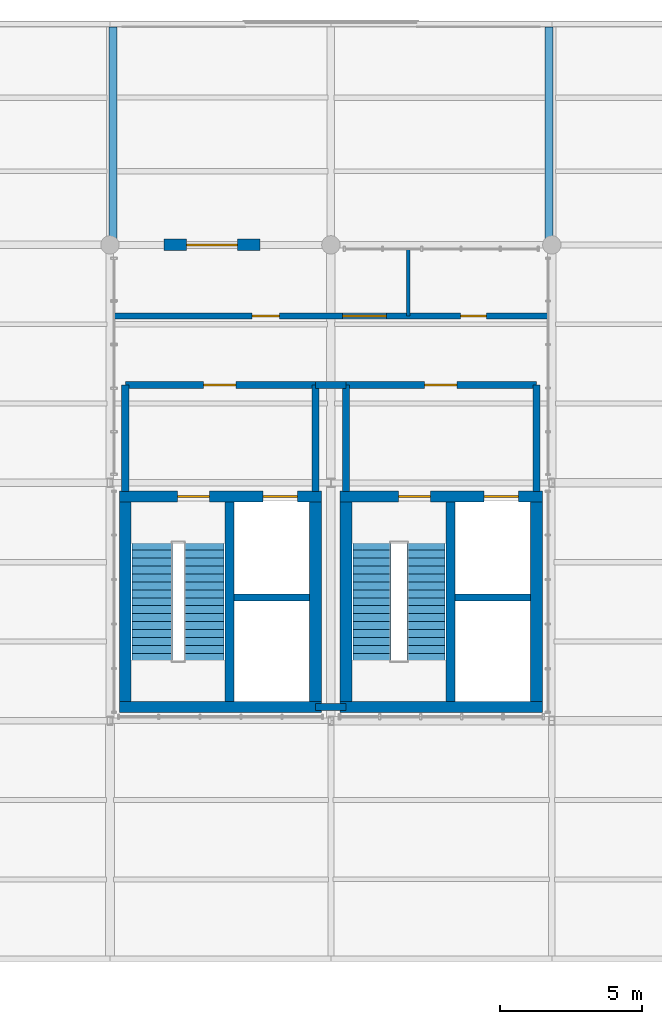
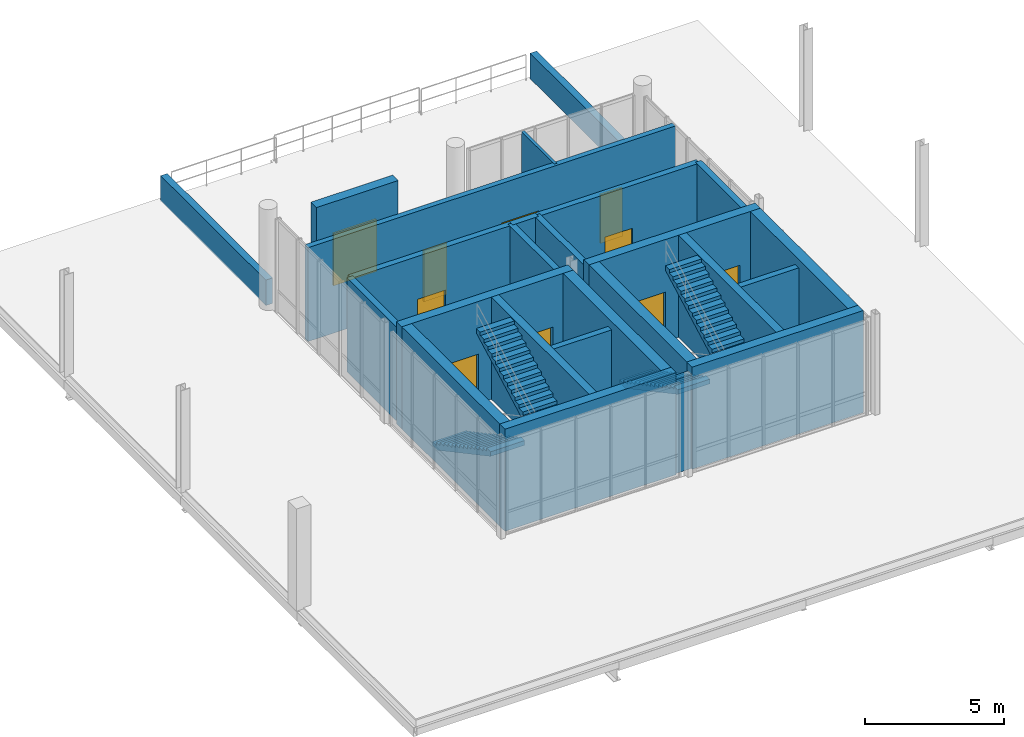
# One storey, part 58 of 66: 25 walls, 9 doors, 4 stair flights, 1 window, 10 openings, 2 elements without a shape of their own.
"""IFC4 building model written with IfcOpenShell, lengths in metres."""

from ifc_helpers import new_model, si_unit, direction, frame, frame_2d, origin_with_axes, place, context, subcontext, project, spatial, polyline, rectangle, outline, extrude, material, layer, layer_set, type_object, element, fill, aggregate, save


model = new_model("IFC4")

# Units and contexts
model_context = context("Model", 3, precision=1e-05, world=origin_with_axes(), true_north=direction((0.0, 1.0)))
body_context = subcontext(model_context, "Body", "Model", "MODEL_VIEW")
ifc_project = project(units=[si_unit("LENGTHUNIT", "METRE"), si_unit("AREAUNIT", "SQUARE_METRE"), si_unit("VOLUMEUNIT", "CUBIC_METRE"), si_unit("PLANEANGLEUNIT", "RADIAN"), si_unit("MASSUNIT", "GRAM", prefix="KILO"), si_unit("THERMODYNAMICTEMPERATUREUNIT", "KELVIN")], contexts=[model_context])

# Site, building, storey
site_placement = place(None, origin_with_axes())
site = spatial("IfcSite", under=ifc_project, at=site_placement, CompositionType="ELEMENT")
building_placement = place(site_placement, origin_with_axes())
building = spatial("IfcBuilding", under=site, at=building_placement, Name="Montbau Bow Law Courts", CompositionType="ELEMENT")
storey_placement = place(building_placement, frame((0.0, 0.0, 34.5), z_axis=(0.0, 0.0, 1.0), x_axis=(1.0, 0.0, 0.0)))
storey = spatial("IfcBuildingStorey", under=building, at=storey_placement, Name="L07", CompositionType="ELEMENT", Elevation=34.5)

# Walls
ifc_material_1 = material(Name="Concrete CSA A23.1 f'c 45 MPa", Category="concrete")
ifc_layer_1 = layer(ifc_material_1, 0.42, Name="Shear Wall", Category="concrete")
ifc_layer_set_1 = layer_set([ifc_layer_1], Name="Concrete CSA A23.1 f'c 45 MPa")
wall_type_1 = type_object("IfcWallType", Name="W-COR-03", PredefinedType="SHEAR", material=ifc_layer_set_1)
for number, where, z_axis, x_axis, name in (
    (1, (154.26, 87.07, 34.5), (0.0, 0.0, 1.0), (0.0, 1.0, 0.0), "WC-L07-0348:wal_0415"),
    (2, (147.54, 94.13, 34.5), (0.0, 0.0, 1.0), (0.0, -1.0, 0.0), "WC-L07-0349:wal_0416"),
    (3, (162.06, 87.07, 34.5), (0.0, 0.0, 1.0), (0.0, 1.0, 0.0), "WC-L07-0451:wal_0518"),
    (4, (155.34, 94.13, 34.5), (0.0, 0.0, 1.0), (0.0, -1.0, 0.0), "WC-L07-0452:wal_0519"),
):
    element("IfcWall", number, at=place(None, frame(where, z_axis=z_axis, x_axis=x_axis)), inside=storey, type_object=wall_type_1, Name=name, PredefinedType="SHEAR", context=body_context, shape_type="SweptSolid", body=[
        extrude(rectangle(XDim=7.060000000000002, YDim=0.42, at=frame_2d((3.53, 0.0), x_axis=(1.0, 0.0))), origin_with_axes(), (0.0, 0.0, 1.0), 4.5),
    ])
ifc_layer_2 = layer(ifc_material_1, 0.38, Name="Shear Wall", Category="concrete")
ifc_layer_set_2 = layer_set([ifc_layer_2], Name="Concrete CSA A23.1 f'c 45 MPa")
wall_type_2 = type_object("IfcWallType", Name="W-COR-04", PredefinedType="SHEAR", material=ifc_layer_set_2)
wall_1_placement = place(None, frame((147.33, 86.88, 34.5), z_axis=(0.0, 0.0, 1.0), x_axis=(1.0, 0.0, 0.0)))
element("IfcWall", 5, at=wall_1_placement, inside=storey, type_object=wall_type_2, Name="WC-L07-0346:wal_0413", PredefinedType="SHEAR", context=body_context, shape_type="SweptSolid", body=[
    extrude(rectangle(XDim=7.139999999999986, YDim=0.38, at=frame_2d((3.57, 0.0), x_axis=(1.0, 0.0))), origin_with_axes(), (0.0, 0.0, 1.0), 4.5),
])

# Wall, openings, doors
wall_2_placement = place(None, frame((154.47, 94.32, 34.5), z_axis=(0.0, 0.0, 1.0), x_axis=(-1.0, 0.0, 0.0)))
wall_2 = element("IfcWall", 6, at=wall_2_placement, inside=storey, type_object=wall_type_2, Name="WC-L07-0347:wal_0414", PredefinedType="SHEAR", context=body_context, shape_type="SweptSolid", body=[
    extrude(rectangle(XDim=7.139999999999986, YDim=0.38, at=frame_2d((3.57, 0.0), x_axis=(1.0, 0.0))), origin_with_axes(), (0.0, 0.0, 1.0), 4.5),
])
opening_1_placement = place(None, frame((149.95, 94.32, 34.5), z_axis=(0.0, 0.0, 1.0), x_axis=(-1.0, 0.0, 0.0)))
opening_1 = element("IfcOpeningElement", 7, at=opening_1_placement, cuts=wall_2, Name="OP-D-L07-ST-P2", PredefinedType="OPENING", context=body_context, shape_type="SweptSolid", body=[
    extrude(rectangle(XDim=1.14, YDim=2.18, at=frame_2d((0.0, 1.09), x_axis=(1.0, 0.0))), frame((0.0, 0.2, 0.0), z_axis=(0.0, -1.0, 0.0), x_axis=(1.0, 0.0, 0.0)), (0.0, 0.0, 1.0), 0.4),
])
opening_2_placement = place(None, frame((153.01, 94.32, 34.5), z_axis=(0.0, 0.0, 1.0), x_axis=(-1.0, 0.0, 0.0)))
opening_2 = element("IfcOpeningElement", 8, at=opening_2_placement, cuts=wall_2, Name="OP-LD-L07-EL-FF1", PredefinedType="OPENING", context=body_context, shape_type="SweptSolid", body=[
    extrude(rectangle(XDim=1.22, YDim=2.28, at=frame_2d((0.0, 1.14), x_axis=(1.0, 0.0))), frame((0.0, 0.2, 0.0), z_axis=(0.0, -1.0, 0.0), x_axis=(1.0, 0.0, 0.0)), (0.0, 0.0, 1.0), 0.4),
])
ifc_material_2 = material(Name="1.5 h Fire-Rated Hollow-Metal Exit Stair Door", Category="steel")
door_type_1 = type_object("IfcDoorType", Name="D-ST-01", OperationType="NOTDEFINED", ParameterTakesPrecedence=False, PredefinedType="DOOR", material=ifc_material_2)
door_1_placement = place(None, frame((149.95, 94.32, 34.5), z_axis=(0.0, 0.0, 1.0), x_axis=(1.0, 0.0, 0.0)))
door_1 = element("IfcDoor", 9, at=door_1_placement, inside=storey, type_object=door_type_1, Name="D-L07-ST-P2:dor_0168", OperationType="SINGLE_SWING_LEFT", OverallHeight=2.18, OverallWidth=1.14, PredefinedType="DOOR", context=body_context, shape_type="SweptSolid", body=[
    extrude(rectangle(XDim=1.14, YDim=2.18, at=frame_2d((0.0, 1.09), x_axis=(1.0, 0.0))), frame((0.0, 0.04, 0.0), z_axis=(0.0, -1.0, 0.0), x_axis=(1.0, 0.0, 0.0)), (0.0, 0.0, 1.0), 0.08),
])
fill(opening_1, door_1)
ifc_material_3 = material(Name="CSA B44 Firefighters Elevator Landing Door", Category="steel")
door_type_2 = type_object("IfcDoorType", Name="LD-FFE-01", OperationType="NOTDEFINED", ParameterTakesPrecedence=False, PredefinedType="DOOR", material=ifc_material_3)
door_2_placement = place(None, frame((153.01, 94.32, 34.5), z_axis=(0.0, 0.0, 1.0), x_axis=(1.0, 0.0, 0.0)))
door_2 = element("IfcDoor", 10, at=door_2_placement, inside=storey, type_object=door_type_2, Name="LD-L07-EL-FF1:dor_0169", OperationType="SLIDING_TO_LEFT", OverallHeight=2.28, OverallWidth=1.22, PredefinedType="DOOR", context=body_context, shape_type="SweptSolid", body=[
    extrude(rectangle(XDim=1.22, YDim=2.28, at=frame_2d((0.0, 1.14), x_axis=(1.0, 0.0))), frame((0.0, 0.04, 0.0), z_axis=(0.0, -1.0, 0.0), x_axis=(1.0, 0.0, 0.0)), (0.0, 0.0, 1.0), 0.08),
])
fill(opening_2, door_2)

# Wall
wall_3_placement = place(None, frame((155.13, 86.88, 34.5), z_axis=(0.0, 0.0, 1.0), x_axis=(1.0, 0.0, 0.0)))
element("IfcWall", 11, at=wall_3_placement, inside=storey, type_object=wall_type_2, Name="WC-L07-0449:wal_0516", PredefinedType="SHEAR", context=body_context, shape_type="SweptSolid", body=[
    extrude(rectangle(XDim=7.140000000000015, YDim=0.38, at=frame_2d((3.57, 0.0), x_axis=(1.0, 0.0))), origin_with_axes(), (0.0, 0.0, 1.0), 4.5),
])

# Wall, openings, doors
wall_4_placement = place(None, frame((162.27, 94.32, 34.5), z_axis=(0.0, 0.0, 1.0), x_axis=(-1.0, 0.0, 0.0)))
wall_4 = element("IfcWall", 12, at=wall_4_placement, inside=storey, type_object=wall_type_2, Name="WC-L07-0450:wal_0517", PredefinedType="SHEAR", context=body_context, shape_type="SweptSolid", body=[
    extrude(rectangle(XDim=7.140000000000015, YDim=0.38, at=frame_2d((3.57, 0.0), x_axis=(1.0, 0.0))), origin_with_axes(), (0.0, 0.0, 1.0), 4.5),
])
opening_3_placement = place(None, frame((157.75, 94.32, 34.5), z_axis=(0.0, 0.0, 1.0), x_axis=(-1.0, 0.0, 0.0)))
opening_3 = element("IfcOpeningElement", 13, at=opening_3_placement, cuts=wall_4, Name="OP-D-L07-ST-J2", PredefinedType="OPENING", context=body_context, shape_type="SweptSolid", body=[
    extrude(rectangle(XDim=1.14, YDim=2.18, at=frame_2d((0.0, 1.09), x_axis=(1.0, 0.0))), frame((0.0, 0.2, 0.0), z_axis=(0.0, -1.0, 0.0), x_axis=(1.0, 0.0, 0.0)), (0.0, 0.0, 1.0), 0.4),
])
opening_4_placement = place(None, frame((160.81, 94.32, 34.5), z_axis=(0.0, 0.0, 1.0), x_axis=(-1.0, 0.0, 0.0)))
opening_4 = element("IfcOpeningElement", 14, at=opening_4_placement, cuts=wall_4, Name="OP-LD-L07-EL-FF2", PredefinedType="OPENING", context=body_context, shape_type="SweptSolid", body=[
    extrude(rectangle(XDim=1.22, YDim=2.28, at=frame_2d((0.0, 1.14), x_axis=(1.0, 0.0))), frame((0.0, 0.2, 0.0), z_axis=(0.0, -1.0, 0.0), x_axis=(1.0, 0.0, 0.0)), (0.0, 0.0, 1.0), 0.4),
])
door_3_placement = place(None, frame((157.75, 94.32, 34.5), z_axis=(0.0, 0.0, 1.0), x_axis=(1.0, 0.0, 0.0)))
door_3 = element("IfcDoor", 15, at=door_3_placement, inside=storey, type_object=door_type_1, Name="D-L07-ST-J2:dor_0206", OperationType="SINGLE_SWING_RIGHT", OverallHeight=2.18, OverallWidth=1.14, PredefinedType="DOOR", context=body_context, shape_type="SweptSolid", body=[
    extrude(rectangle(XDim=1.14, YDim=2.18, at=frame_2d((0.0, 1.09), x_axis=(1.0, 0.0))), frame((0.0, 0.04, 0.0), z_axis=(0.0, -1.0, 0.0), x_axis=(1.0, 0.0, 0.0)), (0.0, 0.0, 1.0), 0.08),
])
fill(opening_3, door_3)
door_4_placement = place(None, frame((160.81, 94.32, 34.5), z_axis=(0.0, 0.0, 1.0), x_axis=(1.0, 0.0, 0.0)))
door_4 = element("IfcDoor", 16, at=door_4_placement, inside=storey, type_object=door_type_2, Name="LD-L07-EL-FF2:dor_0207", OperationType="SLIDING_TO_LEFT", OverallHeight=2.28, OverallWidth=1.22, PredefinedType="DOOR", context=body_context, shape_type="SweptSolid", body=[
    extrude(rectangle(XDim=1.22, YDim=2.28, at=frame_2d((0.0, 1.14), x_axis=(1.0, 0.0))), frame((0.0, 0.04, 0.0), z_axis=(0.0, -1.0, 0.0), x_axis=(1.0, 0.0, 0.0)), (0.0, 0.0, 1.0), 0.08),
])
fill(opening_4, door_4)

# Walls
ifc_layer_3 = layer(ifc_material_1, 0.32, Name="Shear Wall", Category="concrete")
ifc_layer_set_3 = layer_set([ifc_layer_3], Name="Concrete CSA A23.1 f'c 45 MPa")
wall_type_3 = type_object("IfcWallType", Name="W-COR-05", PredefinedType="SHEAR", material=ifc_layer_set_3)
for number, where, z_axis, x_axis, name in (
    (17, (151.22, 87.07, 34.5), (0.0, 0.0, 1.0), (0.0, 1.0, 0.0), "WS-L07-0350:wal_0417"),
    (18, (159.02, 87.07, 34.5), (0.0, 0.0, 1.0), (0.0, 1.0, 0.0), "WS-L07-0453:wal_0520"),
):
    element("IfcWall", number, at=place(None, frame(where, z_axis=z_axis, x_axis=x_axis)), inside=storey, type_object=wall_type_3, Name=name, PredefinedType="SHEAR", context=body_context, shape_type="SweptSolid", body=[
        extrude(rectangle(XDim=7.060000000000002, YDim=0.32, at=frame_2d((3.53, 0.0), x_axis=(1.0, 0.0))), origin_with_axes(), (0.0, 0.0, 1.0), 4.5),
    ])

# Wall, opening, door
ifc_material_4 = material(Name="Polychrome Glazed Ceramic Rainscreen Insulated Wall", Category="masonry")
ifc_layer_4 = layer(ifc_material_4, 0.4, Name="Solid Wall", Category="masonry")
ifc_layer_set_4 = layer_set([ifc_layer_4], Name="Polychrome Glazed Ceramic Rainscreen Insulated Wall")
wall_type_4 = type_object("IfcWallType", Name="W-EXT-04", PredefinedType="SOLIDWALL", material=ifc_layer_set_4)
wall_5_placement = place(None, frame((148.9, 103.2, 34.5), z_axis=(0.0, 0.0, 1.0), x_axis=(1.0, 0.0, 0.0)))
wall_5 = element("IfcWall", 19, at=wall_5_placement, inside=storey, type_object=wall_type_4, Name="WE-L07-038:wal_0055", PredefinedType="SOLIDWALL", context=body_context, shape_type="SweptSolid", body=[
    extrude(rectangle(XDim=3.4000000000000057, YDim=0.4, at=frame_2d((1.7, 0.0), x_axis=(1.0, 0.0))), origin_with_axes(), (0.0, 0.0, 1.0), 3.824),
])
opening_5_placement = place(None, frame((150.6, 103.2, 34.5), z_axis=(0.0, 0.0, 1.0), x_axis=(1.0, 0.0, 0.0)))
opening_5 = element("IfcOpeningElement", 20, at=opening_5_placement, cuts=wall_5, Name="OP-D-TER-07", PredefinedType="OPENING", context=body_context, shape_type="SweptSolid", body=[
    extrude(rectangle(XDim=1.8, YDim=2.3, at=frame_2d((0.0, 1.15), x_axis=(1.0, 0.0))), frame((0.0, 0.21, 0.0), z_axis=(0.0, -1.0, 0.0), x_axis=(1.0, 0.0, 0.0)), (0.0, 0.0, 1.0), 0.42),
])
ifc_material_5 = material(Name="Thermally Broken Glazed Roof-Garden Double Door", Category="aluminium")
door_type_3 = type_object("IfcDoorType", Name="D-EXT-07", OperationType="NOTDEFINED", ParameterTakesPrecedence=False, PredefinedType="DOOR", material=ifc_material_5)
door_5_placement = place(None, frame((150.6, 103.2, 34.5), z_axis=(0.0, 0.0, 1.0), x_axis=(1.0, 0.0, 0.0)))
door_5 = element("IfcDoor", 21, at=door_5_placement, inside=storey, type_object=door_type_3, Name="D-TER-07:dor_0030", OperationType="DOUBLE_DOOR_SINGLE_SWING", OverallHeight=2.3, OverallWidth=1.8, PredefinedType="DOOR", context=body_context, shape_type="SweptSolid", body=[
    extrude(rectangle(XDim=1.8, YDim=2.3, at=frame_2d((0.0, 1.15), x_axis=(1.0, 0.0))), frame((0.0, 0.04, 0.0), z_axis=(0.0, -1.0, 0.0), x_axis=(1.0, 0.0, 0.0)), (0.0, 0.0, 1.0), 0.08),
])
fill(opening_5, door_5)

# Walls
ifc_material_6 = material(Name="Insulated Terracotta-Coping Terrace Parapet Assembly", Category="masonry")
ifc_layer_5 = layer(ifc_material_6, 0.28, Name="Parapet", Category="masonry")
ifc_layer_set_5 = layer_set([ifc_layer_5], Name="Insulated Terracotta-Coping Terrace Parapet Assembly")
wall_type_5 = type_object("IfcWallType", Name="W-PAR-02", PredefinedType="PARAPET", material=ifc_layer_set_5)
for number, where, z_axis, x_axis, name in (
    (22, (147.1, 103.304, 34.5), (0.0, 0.0, 1.0), (0.0, 1.0, 0.0), "PAR-TER-L07-V5-1:par_0008"),
    (23, (162.5, 110.9, 34.5), (0.0, 0.0, 1.0), (0.0, -1.0, 0.0), "PAR-TER-L07-V5-7:par_0009"),
):
    element("IfcWall", number, at=place(None, frame(where, z_axis=z_axis, x_axis=x_axis)), inside=storey, type_object=wall_type_5, Name=name, PredefinedType="PARAPET", context=body_context, shape_type="SweptSolid", body=[
        extrude(rectangle(XDim=7.596000000000004, YDim=0.28, at=frame_2d((3.798, 0.0), x_axis=(1.0, 0.0))), origin_with_axes(), (0.0, 0.0, 1.0), 1.12),
    ])
ifc_material_7 = material(Name="2 h Shaft and Exit-Passage Fire Separation Partition", Category="gypsum")
ifc_layer_6 = layer(ifc_material_7, 0.25, Name="Partition", Category="gypsum")
ifc_layer_set_6 = layer_set([ifc_layer_6], Name="2 h Shaft and Exit-Passage Fire Separation Partition")
wall_type_6 = type_object("IfcWallType", Name="W-PRT-01", PredefinedType="PARTITIONING", material=ifc_layer_set_6)
wall_6_placement = place(None, frame((151.38, 90.749, 34.5), z_axis=(0.0, 0.0, 1.0), x_axis=(1.0, 0.0, 0.0)))
element("IfcWall", 24, at=wall_6_placement, inside=storey, type_object=wall_type_6, Name="WS-L07-0351:wal_0418", PredefinedType="PARTITIONING", context=body_context, shape_type="SweptSolid", body=[
    extrude(rectangle(XDim=2.670000000000016, YDim=0.25, at=frame_2d((1.335, 0.0), x_axis=(1.0, 0.0))), origin_with_axes(), (0.0, 0.0, 1.0), 4.14),
])

# Wall, opening, door
wall_7_placement = place(None, frame((154.26, 98.25, 34.5), z_axis=(0.0, 0.0, 1.0), x_axis=(-1.0, 0.0, 0.0)))
wall_7 = element("IfcWall", 25, at=wall_7_placement, inside=storey, type_object=wall_type_6, Name="WFF-L07-0352:wal_0419", PredefinedType="PARTITIONING", context=body_context, shape_type="SweptSolid", body=[
    extrude(rectangle(XDim=6.719999999999999, YDim=0.25, at=frame_2d((3.36, 0.0), x_axis=(1.0, 0.0))), origin_with_axes(), (0.0, 0.0, 1.0), 4.14),
])
opening_6_placement = place(None, frame((150.875, 98.25, 34.5), z_axis=(0.0, 0.0, 1.0), x_axis=(-1.0, 0.0, 0.0)))
opening_6 = element("IfcOpeningElement", 26, at=opening_6_placement, cuts=wall_7, Name="OP-D-L07-FFL5", PredefinedType="OPENING", context=body_context, shape_type="SweptSolid", body=[
    extrude(rectangle(XDim=1.15, YDim=2.25, at=frame_2d((0.0, 1.125), x_axis=(1.0, 0.0))), frame((0.0, 0.135, 0.0), z_axis=(0.0, -1.0, 0.0), x_axis=(1.0, 0.0, 0.0)), (0.0, 0.0, 1.0), 0.27),
])
ifc_material_8 = material(Name="1.5 h Smoke-Sealed Firefighters Lobby Door", Category="steel")
door_type_4 = type_object("IfcDoorType", Name="D-FFL-01", OperationType="NOTDEFINED", ParameterTakesPrecedence=False, PredefinedType="DOOR", material=ifc_material_8)
door_6_placement = place(None, frame((150.875, 98.25, 34.5), z_axis=(0.0, 0.0, 1.0), x_axis=(1.0, 0.0, 0.0)))
door_6 = element("IfcDoor", 27, at=door_6_placement, inside=storey, type_object=door_type_4, Name="D-L07-FFL5:dor_0170", OperationType="SINGLE_SWING_RIGHT", OverallHeight=2.25, OverallWidth=1.15, PredefinedType="DOOR", context=body_context, shape_type="SweptSolid", body=[
    extrude(rectangle(XDim=1.15, YDim=2.25, at=frame_2d((0.0, 1.125), x_axis=(1.0, 0.0))), frame((0.0, 0.04, 0.0), z_axis=(0.0, -1.0, 0.0), x_axis=(1.0, 0.0, 0.0)), (0.0, 0.0, 1.0), 0.08),
])
fill(opening_6, door_6)

# Walls
for number, where, z_axis, x_axis, name in (
    (28, (147.54, 94.5, 34.5), (0.0, 0.0, 1.0), (0.0, 1.0, 0.0), "WFF-L07-0353:wal_0420"),
    (29, (154.26, 94.5, 34.5), (0.0, 0.0, 1.0), (0.0, 1.0, 0.0), "WFF-L07-0354:wal_0421"),
):
    element("IfcWall", number, at=place(None, frame(where, z_axis=z_axis, x_axis=x_axis)), inside=storey, type_object=wall_type_6, Name=name, PredefinedType="PARTITIONING", context=body_context, shape_type="SweptSolid", body=[
        extrude(rectangle(XDim=3.75, YDim=0.25, at=frame_2d((1.875, 0.0), x_axis=(1.0, 0.0))), origin_with_axes(), (0.0, 0.0, 1.0), 4.14),
    ])
wall_8_placement = place(None, frame((159.18, 90.749, 34.5), z_axis=(0.0, 0.0, 1.0), x_axis=(1.0, 0.0, 0.0)))
element("IfcWall", 30, at=wall_8_placement, inside=storey, type_object=wall_type_6, Name="WS-L07-0454:wal_0521", PredefinedType="PARTITIONING", context=body_context, shape_type="SweptSolid", body=[
    extrude(rectangle(XDim=2.6699999999999875, YDim=0.25, at=frame_2d((1.335, 0.0), x_axis=(1.0, 0.0))), origin_with_axes(), (0.0, 0.0, 1.0), 4.14),
])

# Wall, opening, door
wall_9_placement = place(None, frame((162.06, 98.25, 34.5), z_axis=(0.0, 0.0, 1.0), x_axis=(-1.0, 0.0, 0.0)))
wall_9 = element("IfcWall", 31, at=wall_9_placement, inside=storey, type_object=wall_type_6, Name="WFF-L07-0455:wal_0522", PredefinedType="PARTITIONING", context=body_context, shape_type="SweptSolid", body=[
    extrude(rectangle(XDim=6.719999999999999, YDim=0.25, at=frame_2d((3.36, 0.0), x_axis=(1.0, 0.0))), origin_with_axes(), (0.0, 0.0, 1.0), 4.14),
])
opening_7_placement = place(None, frame((158.675, 98.25, 34.5), z_axis=(0.0, 0.0, 1.0), x_axis=(-1.0, 0.0, 0.0)))
opening_7 = element("IfcOpeningElement", 32, at=opening_7_placement, cuts=wall_9, Name="OP-D-L07-FFL6", PredefinedType="OPENING", context=body_context, shape_type="SweptSolid", body=[
    extrude(rectangle(XDim=1.15, YDim=2.25, at=frame_2d((0.0, 1.125), x_axis=(1.0, 0.0))), frame((0.0, 0.135, 0.0), z_axis=(0.0, -1.0, 0.0), x_axis=(1.0, 0.0, 0.0)), (0.0, 0.0, 1.0), 0.27),
])
door_7_placement = place(None, frame((158.675, 98.25, 34.5), z_axis=(0.0, 0.0, 1.0), x_axis=(1.0, 0.0, 0.0)))
door_7 = element("IfcDoor", 33, at=door_7_placement, inside=storey, type_object=door_type_4, Name="D-L07-FFL6:dor_0208", OperationType="SINGLE_SWING_LEFT", OverallHeight=2.25, OverallWidth=1.15, PredefinedType="DOOR", context=body_context, shape_type="SweptSolid", body=[
    extrude(rectangle(XDim=1.15, YDim=2.25, at=frame_2d((0.0, 1.125), x_axis=(1.0, 0.0))), frame((0.0, 0.04, 0.0), z_axis=(0.0, -1.0, 0.0), x_axis=(1.0, 0.0, 0.0)), (0.0, 0.0, 1.0), 0.08),
])
fill(opening_7, door_7)

# Walls
for number, where, z_axis, x_axis, name in (
    (34, (155.34, 94.5, 34.5), (0.0, 0.0, 1.0), (0.0, 1.0, 0.0), "WFF-L07-0456:wal_0523"),
    (35, (162.06, 94.5, 34.5), (0.0, 0.0, 1.0), (0.0, 1.0, 0.0), "WFF-L07-0457:wal_0524"),
):
    element("IfcWall", number, at=place(None, frame(where, z_axis=z_axis, x_axis=x_axis)), inside=storey, type_object=wall_type_6, Name=name, PredefinedType="PARTITIONING", context=body_context, shape_type="SweptSolid", body=[
        extrude(rectangle(XDim=3.75, YDim=0.25, at=frame_2d((1.875, 0.0), x_axis=(1.0, 0.0))), origin_with_axes(), (0.0, 0.0, 1.0), 4.14),
    ])
for number, where, z_axis, x_axis, name in (
    (36, (154.26, 98.25, 34.5), (0.0, 0.0, 1.0), (1.0, 0.0, 0.0), "WFF-L07-0551:wal_0618"),
    (37, (154.26, 86.88, 34.5), (0.0, 0.0, 1.0), (1.0, 0.0, 0.0), "WFF-L07-0552:wal_0619"),
):
    element("IfcWall", number, at=place(None, frame(where, z_axis=z_axis, x_axis=x_axis)), inside=storey, type_object=wall_type_6, Name=name, PredefinedType="PARTITIONING", context=body_context, shape_type="SweptSolid", body=[
        extrude(rectangle(XDim=1.0800000000000125, YDim=0.25, at=frame_2d((0.54, 0.0), x_axis=(1.0, 0.0))), origin_with_axes(), (0.0, 0.0, 1.0), 4.14),
    ])

# Wall, openings, doors, window
ifc_material_9 = material(Name="STC-60 High-Acoustic Courtroom Perimeter Partition", Category="gypsum")
ifc_layer_7 = layer(ifc_material_9, 0.22, Name="Partition", Category="gypsum")
ifc_layer_set_7 = layer_set([ifc_layer_7], Name="STC-60 High-Acoustic Courtroom Perimeter Partition")
wall_type_7 = type_object("IfcWallType", Name="W-PRT-02", PredefinedType="PARTITIONING", material=ifc_layer_set_7)
wall_10_placement = place(None, frame((147.14, 100.69, 34.5), z_axis=(0.0, 0.0, 1.0), x_axis=(1.0, 0.0, 0.0)))
wall_10 = element("IfcWall", 38, at=wall_10_placement, inside=storey, type_object=wall_type_7, Name="WP-L07-0932:wal_0999", PredefinedType="PARTITIONING", context=body_context, shape_type="SweptSolid", body=[
    extrude(rectangle(XDim=15.320000000000022, YDim=0.22, at=frame_2d((7.66, 0.0), x_axis=(1.0, 0.0))), origin_with_axes(), (0.0, 0.0, 1.0), 4.14),
])
opening_8_placement = place(None, frame((152.496, 100.69, 34.5), z_axis=(0.0, 0.0, 1.0), x_axis=(1.0, 0.0, 0.0)))
opening_8 = element("IfcOpeningElement", 39, at=opening_8_placement, cuts=wall_10, Name="OP-D-L07-400", PredefinedType="OPENING", context=body_context, shape_type="SweptSolid", body=[
    extrude(rectangle(XDim=0.97, YDim=2.26, at=frame_2d((0.0, 1.13), x_axis=(1.0, 0.0))), frame((0.0, 0.12, 0.0), z_axis=(0.0, -1.0, 0.0), x_axis=(1.0, 0.0, 0.0)), (0.0, 0.0, 1.0), 0.24),
])
opening_9_placement = place(None, frame((159.833, 100.69, 34.5), z_axis=(0.0, 0.0, 1.0), x_axis=(1.0, 0.0, 0.0)))
opening_9 = element("IfcOpeningElement", 40, at=opening_9_placement, cuts=wall_10, Name="OP-D-L07-401", PredefinedType="OPENING", context=body_context, shape_type="SweptSolid", body=[
    extrude(rectangle(XDim=0.92, YDim=2.14, at=frame_2d((0.0, 1.07), x_axis=(1.0, 0.0))), frame((0.0, 0.12, 0.0), z_axis=(0.0, -1.0, 0.0), x_axis=(1.0, 0.0, 0.0)), (0.0, 0.0, 1.0), 0.24),
])
opening_10_placement = place(None, frame((155.986, 100.69, 35.55), z_axis=(0.0, 0.0, 1.0), x_axis=(1.0, 0.0, 0.0)))
opening_10 = element("IfcOpeningElement", 41, at=opening_10_placement, cuts=wall_10, Name="OP-WI-L07-22", PredefinedType="OPENING", context=body_context, shape_type="SweptSolid", body=[
    extrude(rectangle(XDim=1.55, YDim=1.35, at=frame_2d((0.0, 0.675), x_axis=(1.0, 0.0))), frame((0.0, 0.12, 0.0), z_axis=(0.0, -1.0, 0.0), x_axis=(1.0, 0.0, 0.0)), (0.0, 0.0, 1.0), 0.24),
])
ifc_material_10 = material(Name="Legal Stacks and Rare-Book Room Oak Door", Category="wood")
door_type_5 = type_object("IfcDoorType", Name="D-LIB-02", OperationType="NOTDEFINED", ParameterTakesPrecedence=False, PredefinedType="DOOR", material=ifc_material_10)
door_8_placement = place(None, frame((152.496, 100.69, 34.5), z_axis=(0.0, 0.0, 1.0), x_axis=(-1.0, 0.0, 0.0)))
door_8 = element("IfcDoor", 42, at=door_8_placement, inside=storey, type_object=door_type_5, Name="D-L07-400:dor_0435", OperationType="SINGLE_SWING_RIGHT", OverallHeight=2.26, OverallWidth=0.97, PredefinedType="DOOR", context=body_context, shape_type="SweptSolid", body=[
    extrude(rectangle(XDim=0.97, YDim=2.26, at=frame_2d((0.0, 1.13), x_axis=(1.0, 0.0))), frame((0.0, 0.04, 0.0), z_axis=(0.0, -1.0, 0.0), x_axis=(1.0, 0.0, 0.0)), (0.0, 0.0, 1.0), 0.08),
])
fill(opening_8, door_8)
ifc_material_11 = material(Name="Judicial Law Clerk and Registry Office Oak Door", Category="wood")
door_type_6 = type_object("IfcDoorType", Name="D-OFF-01", OperationType="NOTDEFINED", ParameterTakesPrecedence=False, PredefinedType="DOOR", material=ifc_material_11)
door_9_placement = place(None, frame((159.833, 100.69, 34.5), z_axis=(0.0, 0.0, 1.0), x_axis=(-1.0, 0.0, 0.0)))
door_9 = element("IfcDoor", 43, at=door_9_placement, inside=storey, type_object=door_type_6, Name="D-L07-401:dor_0436", OperationType="SINGLE_SWING_LEFT", OverallHeight=2.14, OverallWidth=0.92, PredefinedType="DOOR", context=body_context, shape_type="SweptSolid", body=[
    extrude(rectangle(XDim=0.92, YDim=2.14, at=frame_2d((0.0, 1.07), x_axis=(1.0, 0.0))), frame((0.0, 0.04, 0.0), z_axis=(0.0, -1.0, 0.0), x_axis=(1.0, 0.0, 0.0)), (0.0, 0.0, 1.0), 0.08),
])
fill(opening_9, door_9)
ifc_material_12 = material(Name="Registry Counter Security Pass-Through Glazing", Category="glass")
window_type = type_object("IfcWindowType", Name="WN-INT-02", ParameterTakesPrecedence=False, PartitioningType="SINGLE_PANEL", PredefinedType="WINDOW", material=ifc_material_12)
window_placement = place(None, frame((155.986, 100.69, 35.55), z_axis=(0.0, 0.0, 1.0), x_axis=(1.0, 0.0, 0.0)))
window = element("IfcWindow", 44, at=window_placement, inside=storey, type_object=window_type, Name="WI-L07-22:win_0144", OverallHeight=1.35, OverallWidth=1.55, PartitioningType="SINGLE_PANEL", PredefinedType="WINDOW", context=body_context, shape_type="SweptSolid", body=[
    extrude(rectangle(XDim=1.55, YDim=1.35, at=frame_2d((0.0, 0.675), x_axis=(1.0, 0.0))), frame((0.0, 0.03, 0.0), z_axis=(0.0, -1.0, 0.0), x_axis=(1.0, 0.0, 0.0)), (0.0, 0.0, 1.0), 0.06),
])
fill(opening_10, window)

# Wall
ifc_material_13 = material(Name="1 h Interior Demising Acoustic Stud Partition", Category="gypsum")
ifc_layer_8 = layer(ifc_material_13, 0.12, Name="Partition", Category="gypsum")
ifc_layer_set_8 = layer_set([ifc_layer_8], Name="1 h Interior Demising Acoustic Stud Partition")
wall_type_8 = type_object("IfcWallType", Name="W-PRT-07", PredefinedType="PARTITIONING", material=ifc_layer_set_8)
wall_11_placement = place(None, frame((157.529, 100.69, 34.5), z_axis=(0.0, 0.0, 1.0), x_axis=(0.0, 1.0, 0.0)))
element("IfcWall", 45, at=wall_11_placement, inside=storey, type_object=wall_type_8, Name="WD-L07-0933:wal_1000", PredefinedType="PARTITIONING", context=body_context, shape_type="SweptSolid", body=[
    extrude(rectangle(XDim=2.3700000000000045, YDim=0.12, at=frame_2d((1.185, 0.0), x_axis=(1.0, 0.0))), origin_with_axes(), (0.0, 0.0, 1.0), 4.14),
])

# Stair, stair flights
ifc_material_14 = material(Name="Concrete CSA A23.1 f'c 40 MPa", Category="concrete")
stair_type_1 = type_object("IfcStairType", Name="ST-JUD-1500", PredefinedType="HALF_TURN_STAIR", material=ifc_material_14)
stair_1_placement = place(None, frame((156.25, 92.7, 34.5), z_axis=(0.0, 0.0, 1.0), x_axis=(1.0, 0.0, 0.0)))
stair_1 = element("IfcStair", 46, at=stair_1_placement, inside=storey, type_object=stair_type_1, Name="ST-J2-L07:str_0052", PredefinedType="HALF_TURN_STAIR")
stair_flight_type_1 = type_object("IfcStairFlightType", Name="SF-RC-1500A", PredefinedType="STRAIGHT", material=ifc_material_14)
stair_flight_1_placement = place(None, frame((156.25, 92.7, 34.5), z_axis=(0.0, 0.0, 1.0), x_axis=(0.0, -1.0, 0.0)))
stair_flight_1 = element("IfcStairFlight", 47, at=stair_flight_1_placement, type_object=stair_flight_type_1, Name="ST-J2-L07-F1:str_0052_F1", NumberOfRisers=15, NumberOfTreads=14, PredefinedType="STRAIGHT", RiserHeight=0.15, TreadLength=0.28, context=body_context, shape_type="SweptSolid", body=[
    extrude(outline(polyline([(0.0, 0.0), (0.0, 0.15), (0.28, 0.15), (0.28, 0.3), (0.56, 0.3), (0.56, 0.45), (0.84, 0.45), (0.84, 0.6), (1.12, 0.6), (1.12, 0.75), (1.4, 0.75), (1.4, 0.9), (1.68, 0.9), (1.68, 1.05), (1.96, 1.05), (1.96, 1.2), (2.24, 1.2), (2.24, 1.35), (2.52, 1.35), (2.52, 1.5), (2.8, 1.5), (2.8, 1.65), (3.08, 1.65), (3.08, 1.8), (3.36, 1.8), (3.36, 1.95), (3.64, 1.95), (3.64, 2.1), (3.92, 2.1), (3.92, 2.25), (4.2, 2.25), (4.2, 2.045798), (0.381177, 0.0), (0.0, 0.0)])), frame((0.0, 0.67, 0.0), z_axis=(0.0, -1.0, 0.0), x_axis=(1.0, 0.0, 0.0)), (0.0, 0.0, 1.0), 1.34),
])
stair_flight_2_placement = place(None, frame((158.16, 88.5, 36.75), z_axis=(0.0, 0.0, 1.0), x_axis=(0.0, 1.0, 0.0)))
stair_flight_2 = element("IfcStairFlight", 48, at=stair_flight_2_placement, type_object=stair_flight_type_1, Name="ST-J2-L07-F2:str_0052_F2", NumberOfRisers=15, NumberOfTreads=14, PredefinedType="STRAIGHT", RiserHeight=0.15, TreadLength=0.28, context=body_context, shape_type="SweptSolid", body=[
    extrude(outline(polyline([(0.0, 0.0), (0.0, 0.15), (0.28, 0.15), (0.28, 0.3), (0.56, 0.3), (0.56, 0.45), (0.84, 0.45), (0.84, 0.6), (1.12, 0.6), (1.12, 0.75), (1.4, 0.75), (1.4, 0.9), (1.68, 0.9), (1.68, 1.05), (1.96, 1.05), (1.96, 1.2), (2.24, 1.2), (2.24, 1.35), (2.52, 1.35), (2.52, 1.5), (2.8, 1.5), (2.8, 1.65), (3.08, 1.65), (3.08, 1.8), (3.36, 1.8), (3.36, 1.95), (3.64, 1.95), (3.64, 2.1), (3.92, 2.1), (3.92, 2.25), (4.2, 2.25), (4.2, 2.045798), (0.381177, 0.0), (0.0, 0.0)])), frame((0.0, 0.67, 0.0), z_axis=(0.0, -1.0, 0.0), x_axis=(1.0, 0.0, 0.0)), (0.0, 0.0, 1.0), 1.34),
])
aggregate(stair_1, [stair_flight_1, stair_flight_2])

stair_type_2 = type_object("IfcStairType", Name="ST-PUB-1800", PredefinedType="HALF_TURN_STAIR", material=ifc_material_14)
stair_2_placement = place(None, frame((148.49, 92.7, 34.5), z_axis=(0.0, 0.0, 1.0), x_axis=(1.0, 0.0, 0.0)))
stair_2 = element("IfcStair", 49, at=stair_2_placement, inside=storey, type_object=stair_type_2, Name="ST-P2-L07:str_0041", PredefinedType="HALF_TURN_STAIR")
stair_flight_type_2 = type_object("IfcStairFlightType", Name="SF-RC-1800A", PredefinedType="STRAIGHT", material=ifc_material_14)
stair_flight_3_placement = place(None, frame((148.49, 92.7, 34.5), z_axis=(0.0, 0.0, 1.0), x_axis=(0.0, -1.0, 0.0)))
stair_flight_3 = element("IfcStairFlight", 50, at=stair_flight_3_placement, type_object=stair_flight_type_2, Name="ST-P2-L07-F1:str_0041_F1", NumberOfRisers=15, NumberOfTreads=14, PredefinedType="STRAIGHT", RiserHeight=0.15, TreadLength=0.28, context=body_context, shape_type="SweptSolid", body=[
    extrude(outline(polyline([(0.0, 0.0), (0.0, 0.15), (0.28, 0.15), (0.28, 0.3), (0.56, 0.3), (0.56, 0.45), (0.84, 0.45), (0.84, 0.6), (1.12, 0.6), (1.12, 0.75), (1.4, 0.75), (1.4, 0.9), (1.68, 0.9), (1.68, 1.05), (1.96, 1.05), (1.96, 1.2), (2.24, 1.2), (2.24, 1.35), (2.52, 1.35), (2.52, 1.5), (2.8, 1.5), (2.8, 1.65), (3.08, 1.65), (3.08, 1.8), (3.36, 1.8), (3.36, 1.95), (3.64, 1.95), (3.64, 2.1), (3.92, 2.1), (3.92, 2.25), (4.2, 2.25), (4.2, 2.045798), (0.381177, 0.0), (0.0, 0.0)])), frame((0.0, 0.71, 0.0), z_axis=(0.0, -1.0, 0.0), x_axis=(1.0, 0.0, 0.0)), (0.0, 0.0, 1.0), 1.42),
])
stair_flight_4_placement = place(None, frame((150.32, 88.5, 36.75), z_axis=(0.0, 0.0, 1.0), x_axis=(0.0, 1.0, 0.0)))
stair_flight_4 = element("IfcStairFlight", 51, at=stair_flight_4_placement, type_object=stair_flight_type_2, Name="ST-P2-L07-F2:str_0041_F2", NumberOfRisers=15, NumberOfTreads=14, PredefinedType="STRAIGHT", RiserHeight=0.15, TreadLength=0.28, context=body_context, shape_type="SweptSolid", body=[
    extrude(outline(polyline([(0.0, 0.0), (0.0, 0.15), (0.28, 0.15), (0.28, 0.3), (0.56, 0.3), (0.56, 0.45), (0.84, 0.45), (0.84, 0.6), (1.12, 0.6), (1.12, 0.75), (1.4, 0.75), (1.4, 0.9), (1.68, 0.9), (1.68, 1.05), (1.96, 1.05), (1.96, 1.2), (2.24, 1.2), (2.24, 1.35), (2.52, 1.35), (2.52, 1.5), (2.8, 1.5), (2.8, 1.65), (3.08, 1.65), (3.08, 1.8), (3.36, 1.8), (3.36, 1.95), (3.64, 1.95), (3.64, 2.1), (3.92, 2.1), (3.92, 2.25), (4.2, 2.25), (4.2, 2.045798), (0.381177, 0.0), (0.0, 0.0)])), frame((0.0, 0.71, 0.0), z_axis=(0.0, -1.0, 0.0), x_axis=(1.0, 0.0, 0.0)), (0.0, 0.0, 1.0), 1.42),
])
aggregate(stair_2, [stair_flight_3, stair_flight_4])

save(model, "model.ifc")
